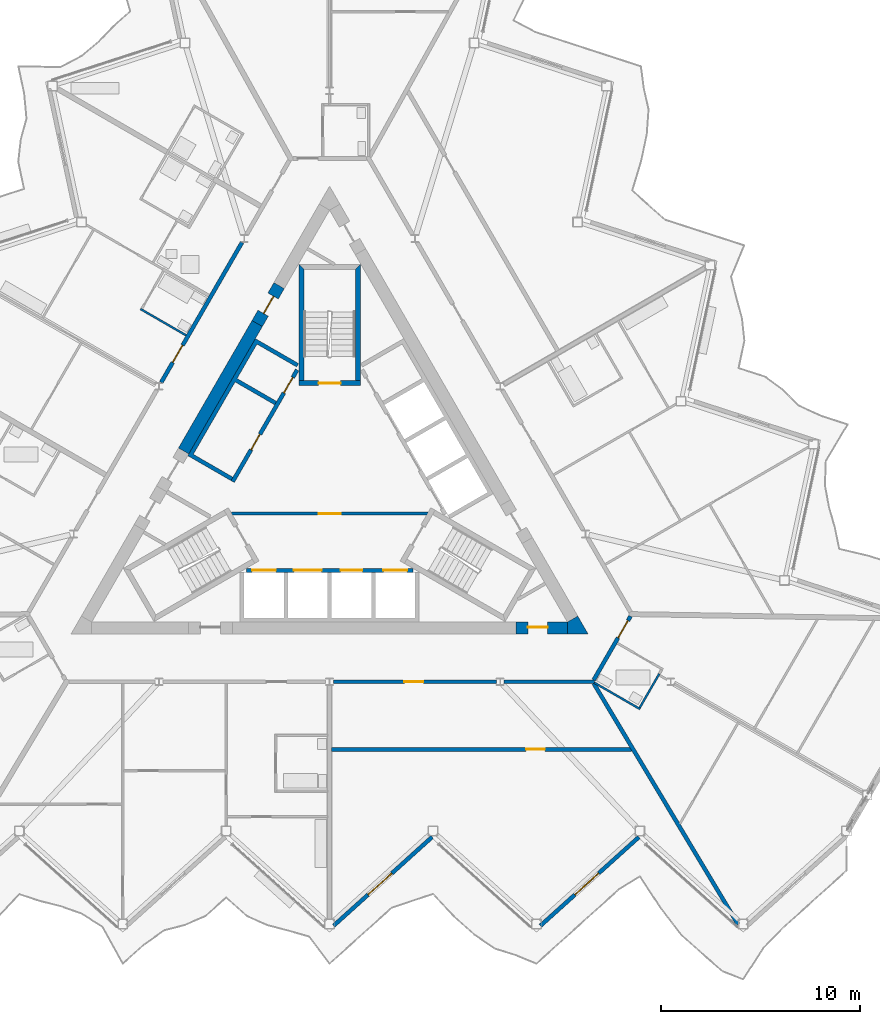
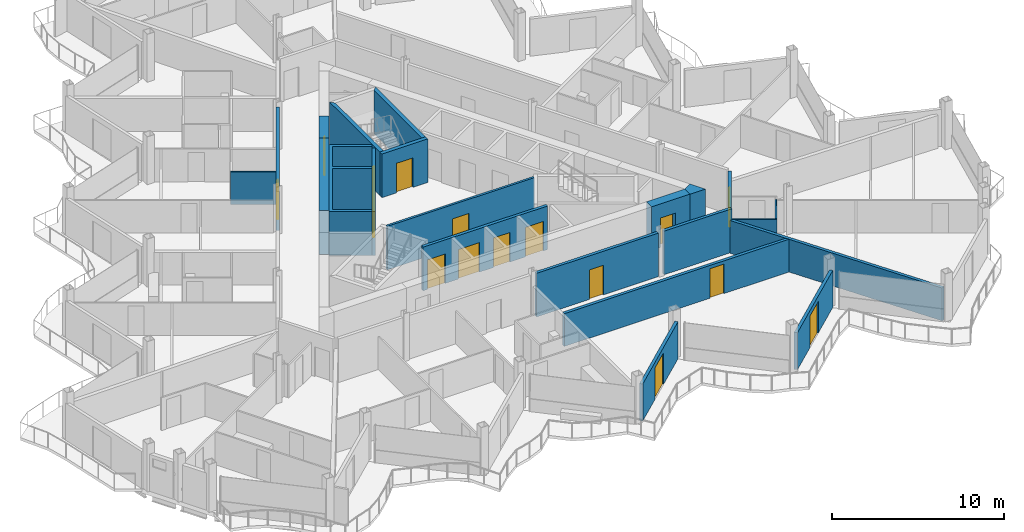
# One storey, part 14 of 26: 22 walls, 16 doors, 16 openings.
"""IFC4 building model written with IfcOpenShell, lengths in metres."""

from ifc_helpers import new_model, si_unit, direction, frame, frame_2d, origin, place, context, subcontext, project, spatial, polyline, rectangle, outline, extrude, material, layer, layer_set, type_object, element, fill, save


model = new_model("IFC4")

# Units and contexts
model_context = context("Model", 3, precision=1e-05, world=origin(), true_north=direction((0.0, 1.0)))
body_context = subcontext(model_context, "Body", "Model", "MODEL_VIEW")
ifc_project = project(units=[si_unit("LENGTHUNIT", "METRE"), si_unit("AREAUNIT", "SQUARE_METRE"), si_unit("VOLUMEUNIT", "CUBIC_METRE"), si_unit("PLANEANGLEUNIT", "RADIAN"), si_unit("MASSUNIT", "GRAM", prefix="KILO")], contexts=[model_context])

# Site, building, storey
site_placement = place(None, origin())
site = spatial("IfcSite", under=ifc_project, at=site_placement, CompositionType="ELEMENT")
building_placement = place(site_placement, origin())
building = spatial("IfcBuilding", under=site, at=building_placement, Name="Cormorant Prow Tower", CompositionType="ELEMENT")
storey_placement = place(building_placement, frame((0.0, 0.0, 384.800048828125)))
storey = spatial("IfcBuildingStorey", under=building, at=storey_placement, Name="L87", CompositionType="ELEMENT", Elevation=384.800048828125)

# Wall, opening, door
ifc_material_1 = material(Name="Gypsum board partition")
ifc_layer_1 = layer(ifc_material_1, 0.14990234375)
ifc_layer_set_1 = layer_set([ifc_layer_1], Name="Gypsum board partition")
wall_type_1 = type_object("IfcWallType", Name="Core partition 150", PredefinedType="PARTITIONING", material=ifc_layer_set_1)
wall_1_placement = place(storey_placement, frame((-4.941162109375, -1.449951171875, 0.0), z_axis=(0.0, 0.0, 1.0), x_axis=(1.0, 0.0, 0.0)))
wall_1 = element("IfcWall", 1, at=wall_1_placement, inside=storey, type_object=wall_type_1, Name="Firefighting lobby partition", PredefinedType="PARTITIONING", context=body_context, shape_type="SweptSolid", body=[
    extrude(rectangle(XDim=9.88232421875, YDim=0.14990234375, at=frame_2d((4.941162109375, 0.0))), origin(), (0.0, 0.0, 1.0), 3.099853515625),
])
opening_1_placement = place(wall_1_placement, frame((4.39111328125, 0.0, 0.0)))
opening_1 = element("IfcOpeningElement", 2, at=opening_1_placement, cuts=wall_1, Name="Opening L87-C11", PredefinedType="OPENING", context=body_context, shape_type="SweptSolid", body=[
    extrude(rectangle(XDim=1.10009765625, YDim=2.10009765625, at=frame_2d((0.550048828125, 1.050048828125))), frame((0.0, 0.0849609375, 0.0), z_axis=(0.0, -1.0, 0.0), x_axis=(1.0, 0.0, 0.0)), (0.0, 0.0, 1.0), 0.169921875),
])
ifc_material_2 = material(Name="Painted steel", Category="steel")
door_type_1 = type_object("IfcDoorType", Name="Firefighting lobby door 1100x2100", OperationType="NOTDEFINED", PredefinedType="DOOR", material=ifc_material_2)
door_1_placement = place(opening_1_placement, origin())
door_1 = element("IfcDoor", 3, at=door_1_placement, inside=storey, type_object=door_type_1, Name="Firefighting lobby door", OperationType="SINGLE_SWING_LEFT", OverallHeight=2.10009765625, OverallWidth=1.10009765625, PredefinedType="DOOR", context=body_context, shape_type="SweptSolid", body=[
    extrude(rectangle(XDim=1.10009765625, YDim=2.10009765625, at=frame_2d((0.550048828125, 1.050048828125))), frame((0.0, 0.02490234375, 0.0), z_axis=(0.0, -1.0, 0.0), x_axis=(1.0, 0.0, 0.0)), (0.0, 0.0, 1.0), 0.050048828125),
])
fill(opening_1, door_1)

# Walls
ifc_material_3 = material(Name="Concrete 8000 psi", Category="concrete")
ifc_layer_2 = layer(ifc_material_3, 0.60009765625)
ifc_layer_set_2 = layer_set([ifc_layer_2], Name="Concrete 8000 psi")
wall_type_2 = type_object("IfcWallType", Name="Core shear wall 600", PredefinedType="SHEAR", material=ifc_layer_set_2)
wall_2_placement = place(storey_placement, frame((-3.639404296875, 8.107421875, 0.0), z_axis=(0.0, 0.0, 1.0), x_axis=(-0.49999180351, -0.866030135978, 0.0)))
element("IfcWall", 4, at=wall_2_placement, inside=storey, type_object=wall_type_2, Name="Core wall", PredefinedType="SHEAR", context=body_context, shape_type="SweptSolid", body=[
    extrude(rectangle(XDim=7.4013671875, YDim=0.60009765625, at=frame_2d((3.70068359375, 0.0))), origin(), (0.0, 0.0, 1.0), 3.099853515625),
])
wall_3_placement = place(storey_placement, origin())
element("IfcWall", 5, at=wall_3_placement, inside=storey, type_object=wall_type_2, Name="Core wall corner", PredefinedType="SHEAR", context=body_context, shape_type="SweptSolid", body=[
    extrude(outline(polyline([(11.960693359375, -7.505615234375), (11.960693359375, -6.905517578125), (12.48046875, -6.605712890625), (13.0, -7.505615234375), (11.960693359375, -7.505615234375)])), origin(), (0.0, 0.0, 1.0), 3.099853515625),
])

# Wall, opening, door
wall_4_placement = place(storey_placement, frame((9.36865234375, -7.20556640625, 0.0), z_axis=(0.0, 0.0, 1.0), x_axis=(1.0, 0.0, 0.0)))
wall_4 = element("IfcWall", 6, at=wall_4_placement, inside=storey, type_object=wall_type_2, Name="Core wall door panel", PredefinedType="SHEAR", context=body_context, shape_type="SweptSolid", body=[
    extrude(rectangle(XDim=2.592041015625, YDim=0.60009765625, at=frame_2d((1.2958984375, 0.0))), origin(), (0.0, 0.0, 1.0), 3.099853515625),
])
opening_2_placement = place(wall_4_placement, frame((0.60009765625, 0.0, 0.0)))
opening_2 = element("IfcOpeningElement", 7, at=opening_2_placement, cuts=wall_4, Name="Opening L87-C15", PredefinedType="OPENING", context=body_context, shape_type="SweptSolid", body=[
    extrude(rectangle(XDim=1.0, YDim=2.10009765625, at=frame_2d((0.5, 1.050048828125))), frame((0.0, 0.31005859375, 0.0), z_axis=(0.0, -1.0, 0.0), x_axis=(1.0, 0.0, 0.0)), (0.0, 0.0, 1.0), 0.6201171875),
])
ifc_material_4 = material(Name="Painted steel", Category="steel")
door_type_2 = type_object("IfcDoorType", Name="Service door 1000x2100", OperationType="NOTDEFINED", PredefinedType="DOOR", material=ifc_material_4)
door_2_placement = place(opening_2_placement, origin())
door_2 = element("IfcDoor", 8, at=door_2_placement, inside=storey, type_object=door_type_2, Name="Core door, Telecom room", OperationType="SINGLE_SWING_RIGHT", OverallHeight=2.10009765625, OverallWidth=1.0, PredefinedType="DOOR", context=body_context, shape_type="SweptSolid", body=[
    extrude(rectangle(XDim=1.0, YDim=2.10009765625, at=frame_2d((0.5, 1.050048828125))), frame((0.0, 0.05517578125, 0.0), z_axis=(0.0, -1.0, 0.0), x_axis=(1.0, 0.0, 0.0)), (0.0, 0.0, 1.0), 0.050048828125),
])
fill(opening_2, door_2)

wall_5_placement = place(storey_placement, frame((-2.539306640625, 10.0126953125, 0.0), z_axis=(0.0, 0.0, 1.0), x_axis=(-0.50002983664, -0.866008176907, 0.0)))
wall_5 = element("IfcWall", 9, at=wall_5_placement, inside=storey, type_object=wall_type_2, Name="Core wall door panel", PredefinedType="SHEAR", context=body_context, shape_type="SweptSolid", body=[
    extrude(rectangle(XDim=2.199951171875, YDim=0.60009765625, at=frame_2d((1.10009765625, 0.0))), origin(), (0.0, 0.0, 1.0), 3.099853515625),
])
opening_3_placement = place(wall_5_placement, frame((0.60009765625, 0.0, 0.0)))
opening_3 = element("IfcOpeningElement", 10, at=opening_3_placement, cuts=wall_5, Name="Opening L87-C19", PredefinedType="OPENING", context=body_context, shape_type="SweptSolid", body=[
    extrude(rectangle(XDim=1.0, YDim=2.10009765625, at=frame_2d((0.5, 1.050048828125))), frame((0.0, 0.31005859375, 0.0), z_axis=(0.0, -1.0, 0.0), x_axis=(1.0, 0.0, 0.0)), (0.0, 0.0, 1.0), 0.6201171875),
])
door_3_placement = place(opening_3_placement, origin())
door_3 = element("IfcDoor", 11, at=door_3_placement, inside=storey, type_object=door_type_2, Name="Core door, Telecom room", OperationType="SINGLE_SWING_LEFT", OverallHeight=2.10009765625, OverallWidth=1.0, PredefinedType="DOOR", context=body_context, shape_type="SweptSolid", body=[
    extrude(rectangle(XDim=1.0, YDim=2.10009765625, at=frame_2d((0.5, 1.050048828125))), frame((0.0, 0.05517578125, 0.0), z_axis=(0.0, -1.0, 0.0), x_axis=(1.0, 0.0, 0.0)), (0.0, 0.0, 1.0), 0.050048828125),
])
fill(opening_3, door_3)

ifc_material_5 = material(Name="Gypsum board corridor wall")
ifc_layer_3 = layer(ifc_material_5, 0.199951171875)
ifc_layer_set_3 = layer_set([ifc_layer_3], Name="Gypsum board corridor wall")
wall_type_3 = type_object("IfcWallType", Name="Corridor wall 200", PredefinedType="PARTITIONING", material=ifc_layer_set_3)
wall_6_placement = place(storey_placement, frame((0.197021484375, -9.905517578125, 0.0), z_axis=(0.0, 0.0, 1.0), x_axis=(1.0, 0.0, 0.0)))
wall_6 = element("IfcWall", 12, at=wall_6_placement, inside=storey, type_object=wall_type_3, Name="Corridor wall", PredefinedType="PARTITIONING", context=body_context, shape_type="SweptSolid", body=[
    extrude(rectangle(XDim=8.1845703125, YDim=0.199951171875, at=frame_2d((4.09228515625, 0.0))), origin(), (0.0, 0.0, 1.0), 3.099853515625),
])
opening_4_placement = place(wall_6_placement, frame((3.56689453125, 0.0, 0.0)))
opening_4 = element("IfcOpeningElement", 13, at=opening_4_placement, cuts=wall_6, Name="Opening L87-F08", PredefinedType="OPENING", context=body_context, shape_type="SweptSolid", body=[
    extrude(rectangle(XDim=0.949951171875, YDim=2.10009765625, at=frame_2d((0.47509765625, 1.050048828125))), frame((0.0, 0.10986328125, 0.0), z_axis=(0.0, -1.0, 0.0), x_axis=(1.0, 0.0, 0.0)), (0.0, 0.0, 1.0), 0.219970703125),
])
ifc_material_6 = material(Name="Timber door leaf", Category="wood")
door_type_3 = type_object("IfcDoorType", Name="Store door 950x2100", OperationType="NOTDEFINED", PredefinedType="DOOR", material=ifc_material_6)
door_4_placement = place(opening_4_placement, origin())
door_4 = element("IfcDoor", 14, at=door_4_placement, inside=storey, type_object=door_type_3, Name="Bicycle store door", OperationType="SINGLE_SWING_RIGHT", OverallHeight=2.10009765625, OverallWidth=0.949951171875, PredefinedType="DOOR", context=body_context, shape_type="SweptSolid", body=[
    extrude(rectangle(XDim=0.949951171875, YDim=2.10009765625, at=frame_2d((0.47509765625, 1.050048828125))), frame((0.0, 0.02490234375, 0.0), z_axis=(0.0, -1.0, 0.0), x_axis=(1.0, 0.0, 0.0)), (0.0, 0.0, 1.0), 0.050048828125),
])
fill(opening_4, door_4)

wall_7_placement = place(storey_placement, frame((-8.464599609375, 5.14990234375, 0.0), z_axis=(0.0, 0.0, 1.0), x_axis=(0.499992155518, 0.866029932751, 0.0)))
wall_7 = element("IfcWall", 15, at=wall_7_placement, inside=storey, type_object=wall_type_3, Name="Corridor wall", PredefinedType="PARTITIONING", context=body_context, shape_type="SweptSolid", body=[
    extrude(rectangle(XDim=8.123291015625, YDim=0.199951171875, at=frame_2d((4.0615234375, 0.0))), origin(), (0.0, 0.0, 1.0), 3.099853515625),
])
opening_5_placement = place(wall_7_placement, frame((1.1533203125, 0.0, 0.0)))
opening_5 = element("IfcOpeningElement", 16, at=opening_5_placement, cuts=wall_7, Name="Opening L87-F33", PredefinedType="OPENING", context=body_context, shape_type="SweptSolid", body=[
    extrude(rectangle(XDim=1.0, YDim=2.10009765625, at=frame_2d((0.5, 1.050048828125))), frame((0.0, 0.10986328125, 0.0), z_axis=(0.0, -1.0, 0.0), x_axis=(1.0, 0.0, 0.0)), (0.0, 0.0, 1.0), 0.219970703125),
])
ifc_material_7 = material(Name="Timber door leaf", Category="wood")
door_type_4 = type_object("IfcDoorType", Name="Flat or room entrance door 1000x2100", OperationType="NOTDEFINED", PredefinedType="DOOR", material=ifc_material_7)
door_5_placement = place(opening_5_placement, origin())
door_5 = element("IfcDoor", 17, at=door_5_placement, inside=storey, type_object=door_type_4, Name="Living room door", OperationType="SINGLE_SWING_RIGHT", OverallHeight=2.10009765625, OverallWidth=1.0, PredefinedType="DOOR", context=body_context, shape_type="SweptSolid", body=[
    extrude(rectangle(XDim=1.0, YDim=2.10009765625, at=frame_2d((0.5, 1.050048828125))), frame((0.0, 0.02490234375, 0.0), z_axis=(0.0, -1.0, 0.0), x_axis=(1.0, 0.0, 0.0)), (0.0, 0.0, 1.0), 0.050048828125),
])
fill(opening_5, door_5)

# Wall
wall_8_placement = place(storey_placement, frame((8.775390625, -9.905517578125, 0.0), z_axis=(0.0, 0.0, 1.0), x_axis=(1.0, 0.0, 0.0)))
element("IfcWall", 18, at=wall_8_placement, inside=storey, type_object=wall_type_3, Name="Corridor wall", PredefinedType="PARTITIONING", context=body_context, shape_type="SweptSolid", body=[
    extrude(rectangle(XDim=4.555419921875, YDim=0.199951171875, at=frame_2d((2.27783203125, 0.0))), origin(), (0.0, 0.0, 1.0), 3.099853515625),
])

# Wall, opening, door
wall_9_placement = place(storey_placement, frame((13.281005859375, -9.819091796875, 0.0), z_axis=(0.0, 0.0, 1.0), x_axis=(0.499948957823, 0.866054870994, 0.0)))
wall_9 = element("IfcWall", 19, at=wall_9_placement, inside=storey, type_object=wall_type_3, Name="Corridor wall", PredefinedType="PARTITIONING", context=body_context, shape_type="SweptSolid", body=[
    extrude(rectangle(XDim=3.701171875, YDim=0.199951171875, at=frame_2d((1.8505859375, 0.0))), origin(), (0.0, 0.0, 1.0), 3.099853515625),
])
opening_6_placement = place(wall_9_placement, frame((2.450927734375, 0.0, 0.0)))
opening_6 = element("IfcOpeningElement", 20, at=opening_6_placement, cuts=wall_9, Name="Opening L87-F10", PredefinedType="OPENING", context=body_context, shape_type="SweptSolid", body=[
    extrude(rectangle(XDim=1.0, YDim=2.10009765625, at=frame_2d((0.5, 1.050048828125))), frame((0.0, 0.10986328125, 0.0), z_axis=(0.0, -1.0, 0.0), x_axis=(1.0, 0.0, 0.0)), (0.0, 0.0, 1.0), 0.219970703125),
])
door_6_placement = place(opening_6_placement, origin())
door_6 = element("IfcDoor", 21, at=door_6_placement, inside=storey, type_object=door_type_4, Name="Living room door", OperationType="SINGLE_SWING_RIGHT", OverallHeight=2.10009765625, OverallWidth=1.0, PredefinedType="DOOR", context=body_context, shape_type="SweptSolid", body=[
    extrude(rectangle(XDim=1.0, YDim=2.10009765625, at=frame_2d((0.5, 1.050048828125))), frame((0.0, 0.02490234375, 0.0), z_axis=(0.0, -1.0, 0.0), x_axis=(1.0, 0.0, 0.0)), (0.0, 0.0, 1.0), 0.050048828125),
])
fill(opening_6, door_6)

ifc_material_8 = material(Name="Gypsum board demising wall")
ifc_layer_4 = layer(ifc_material_8, 0.199951171875)
ifc_layer_set_4 = layer_set([ifc_layer_4], Name="Gypsum board demising wall")
wall_type_4 = type_object("IfcWallType", Name="Demising wall 200", PredefinedType="PARTITIONING", material=ifc_layer_set_4)
wall_10_placement = place(storey_placement, frame((0.10009765625, -13.3056640625, 0.0), z_axis=(0.0, 0.0, 1.0), x_axis=(1.0, 0.0, 0.0)))
wall_10 = element("IfcWall", 22, at=wall_10_placement, inside=storey, type_object=wall_type_4, Name="Demising wall", PredefinedType="PARTITIONING", context=body_context, shape_type="SweptSolid", body=[
    extrude(rectangle(XDim=15.09375, YDim=0.199951171875, at=frame_2d((7.546875, 0.0))), origin(), (0.0, 0.0, 1.0), 2.330078125),
])
opening_7_placement = place(wall_10_placement, frame((9.78076171875, 0.0, 0.0)))
opening_7 = element("IfcOpeningElement", 23, at=opening_7_placement, cuts=wall_10, Name="Opening L87-F09", PredefinedType="OPENING", context=body_context, shape_type="SweptSolid", body=[
    extrude(rectangle(XDim=0.949951171875, YDim=2.10009765625, at=frame_2d((0.47509765625, 1.050048828125))), frame((0.0, 0.10986328125, 0.0), z_axis=(0.0, -1.0, 0.0), x_axis=(1.0, 0.0, 0.0)), (0.0, 0.0, 1.0), 0.219970703125),
])
door_7_placement = place(opening_7_placement, origin())
door_7 = element("IfcDoor", 24, at=door_7_placement, inside=storey, type_object=door_type_3, Name="Refuse room door", OperationType="SINGLE_SWING_RIGHT", OverallHeight=2.10009765625, OverallWidth=0.949951171875, PredefinedType="DOOR", context=body_context, shape_type="SweptSolid", body=[
    extrude(rectangle(XDim=0.949951171875, YDim=2.10009765625, at=frame_2d((0.47509765625, 1.050048828125))), frame((0.0, 0.02490234375, 0.0), z_axis=(0.0, -1.0, 0.0), x_axis=(1.0, 0.0, 0.0)), (0.0, 0.0, 1.0), 0.050048828125),
])
fill(opening_7, door_7)

# Walls
wall_11_placement = place(storey_placement, frame((13.2822265625, -9.9912109375, 0.0), z_axis=(0.0, 0.0, 1.0), x_axis=(0.513867741763, -0.857869421285, 0.0)))
element("IfcWall", 25, at=wall_11_placement, inside=storey, type_object=wall_type_4, Name="Demising wall", PredefinedType="PARTITIONING", context=body_context, shape_type="SweptSolid", body=[
    extrude(rectangle(XDim=14.123779296875, YDim=0.199951171875, at=frame_2d((7.06201171875, 0.0))), origin(), (0.0, 0.0, 1.0), 2.330078125),
])
ifc_material_9 = material(Name="Gypsum board partition")
ifc_layer_5 = layer(ifc_material_9, 0.10009765625)
ifc_layer_set_5 = layer_set([ifc_layer_5], Name="Gypsum board partition")
wall_type_5 = type_object("IfcWallType", Name="Internal partition 100", PredefinedType="PARTITIONING", material=ifc_layer_set_5)
wall_12_placement = place(storey_placement, frame((-9.510009765625, 8.83935546875, 0.0), z_axis=(0.0, 0.0, 1.0), x_axis=(0.866029095148, -0.499993606316, 0.0)))
element("IfcWall", 26, at=wall_12_placement, inside=storey, type_object=wall_type_5, Name="Internal partition", PredefinedType="PARTITIONING", context=body_context, shape_type="SweptSolid", body=[
    extrude(rectangle(XDim=2.64990234375, YDim=0.10009765625, at=frame_2d((1.324951171875, 0.0))), origin(), (0.0, 0.0, 1.0), 2.330078125),
])
wall_13_placement = place(storey_placement, frame((13.3173828125, -9.95556640625, 0.0), z_axis=(0.0, 0.0, 1.0), x_axis=(0.866052124492, -0.499953715521, 0.0)))
element("IfcWall", 27, at=wall_13_placement, inside=storey, type_object=wall_type_5, Name="Internal partition", PredefinedType="PARTITIONING", context=body_context, shape_type="SweptSolid", body=[
    extrude(rectangle(XDim=2.650146484375, YDim=0.10009765625, at=frame_2d((1.3251953125, 0.0))), origin(), (0.0, 0.0, 1.0), 2.330078125),
])
wall_14_placement = place(storey_placement, frame((15.59423828125, -11.21240234375, 0.0), z_axis=(0.0, 0.0, 1.0), x_axis=(0.500011643316, 0.866018681408, 0.0)))
element("IfcWall", 28, at=wall_14_placement, inside=storey, type_object=wall_type_5, Name="Internal partition", PredefinedType="PARTITIONING", context=body_context, shape_type="SweptSolid", body=[
    extrude(rectangle(XDim=1.97314453125, YDim=0.10009765625, at=frame_2d((0.986572265625, 0.0))), origin(), (0.0, 0.0, 1.0), 2.330078125),
])

# Wall, openings, doors
ifc_material_10 = material(Name="Concrete 5000 psi", Category="concrete")
ifc_layer_6 = layer(ifc_material_10, 0.199951171875)
ifc_layer_set_6 = layer_set([ifc_layer_6], Name="Concrete 5000 psi")
wall_type_6 = type_object("IfcWallType", Name="Lift lobby wall 200", PredefinedType="SOLIDWALL", material=ifc_layer_set_6)
wall_15_placement = place(storey_placement, frame((-4.1865234375, -4.300048828125, 0.0), z_axis=(0.0, 0.0, 1.0), x_axis=(1.0, 0.0, 0.0)))
wall_15 = element("IfcWall", 29, at=wall_15_placement, inside=storey, type_object=wall_type_6, Name="Lift lobby wall, S block", PredefinedType="SOLIDWALL", context=body_context, shape_type="SweptSolid", body=[
    extrude(rectangle(XDim=8.373046875, YDim=0.199951171875, at=frame_2d((4.1865234375, 0.0))), origin(), (0.0, 0.0, 1.0), 3.099853515625),
])
opening_8_placement = place(wall_15_placement, frame((0.28662109375, 0.0, 0.0)))
opening_8 = element("IfcOpeningElement", 30, at=opening_8_placement, cuts=wall_15, Name="Opening L87-C01", PredefinedType="OPENING", context=body_context, shape_type="SweptSolid", body=[
    extrude(rectangle(XDim=1.199951171875, YDim=2.10009765625, at=frame_2d((0.60009765625, 1.050048828125))), frame((0.0, 0.10986328125, 0.0), z_axis=(0.0, -1.0, 0.0), x_axis=(1.0, 0.0, 0.0)), (0.0, 0.0, 1.0), 0.219970703125),
])
opening_9_placement = place(wall_15_placement, frame((2.38671875, 0.0, 0.0)))
opening_9 = element("IfcOpeningElement", 31, at=opening_9_placement, cuts=wall_15, Name="Opening L87-C02", PredefinedType="OPENING", context=body_context, shape_type="SweptSolid", body=[
    extrude(rectangle(XDim=1.39990234375, YDim=2.10009765625, at=frame_2d((0.699951171875, 1.050048828125))), frame((0.0, 0.10986328125, 0.0), z_axis=(0.0, -1.0, 0.0), x_axis=(1.0, 0.0, 0.0)), (0.0, 0.0, 1.0), 0.219970703125),
])
opening_10_placement = place(wall_15_placement, frame((4.736572265625, 0.0, 0.0)))
opening_10 = element("IfcOpeningElement", 32, at=opening_10_placement, cuts=wall_15, Name="Opening L87-C03", PredefinedType="OPENING", context=body_context, shape_type="SweptSolid", body=[
    extrude(rectangle(XDim=1.10009765625, YDim=2.10009765625, at=frame_2d((0.550048828125, 1.050048828125))), frame((0.0, 0.10986328125, 0.0), z_axis=(0.0, -1.0, 0.0), x_axis=(1.0, 0.0, 0.0)), (0.0, 0.0, 1.0), 0.219970703125),
])
opening_11_placement = place(wall_15_placement, frame((6.88671875, 0.0, 0.0)))
opening_11 = element("IfcOpeningElement", 33, at=opening_11_placement, cuts=wall_15, Name="Opening L87-C04", PredefinedType="OPENING", context=body_context, shape_type="SweptSolid", body=[
    extrude(rectangle(XDim=1.199951171875, YDim=2.10009765625, at=frame_2d((0.60009765625, 1.050048828125))), frame((0.0, 0.10986328125, 0.0), z_axis=(0.0, -1.0, 0.0), x_axis=(1.0, 0.0, 0.0)), (0.0, 0.0, 1.0), 0.219970703125),
])
ifc_material_11 = material(Name="Painted steel", Category="steel")
door_type_5 = type_object("IfcDoorType", Name="Firefighting lift landing door 1200x2100", OperationType="SLIDING_TO_LEFT", PredefinedType="DOOR", material=ifc_material_11)
door_8_placement = place(opening_8_placement, origin())
door_8 = element("IfcDoor", 34, at=door_8_placement, inside=storey, type_object=door_type_5, Name="Landing door FL1", OperationType="SLIDING_TO_LEFT", OverallHeight=2.10009765625, OverallWidth=1.199951171875, PredefinedType="DOOR", context=body_context, shape_type="SweptSolid", body=[
    extrude(rectangle(XDim=1.199951171875, YDim=2.10009765625, at=frame_2d((0.60009765625, 1.050048828125))), frame((0.0, 0.02490234375, 0.0), z_axis=(0.0, -1.0, 0.0), x_axis=(1.0, 0.0, 0.0)), (0.0, 0.0, 1.0), 0.050048828125),
])
fill(opening_8, door_8)
door_9_placement = place(opening_11_placement, origin())
door_9 = element("IfcDoor", 35, at=door_9_placement, inside=storey, type_object=door_type_5, Name="Landing door FL2", OperationType="SLIDING_TO_LEFT", OverallHeight=2.10009765625, OverallWidth=1.199951171875, PredefinedType="DOOR", context=body_context, shape_type="SweptSolid", body=[
    extrude(rectangle(XDim=1.199951171875, YDim=2.10009765625, at=frame_2d((0.60009765625, 1.050048828125))), frame((0.0, 0.02490234375, 0.0), z_axis=(0.0, -1.0, 0.0), x_axis=(1.0, 0.0, 0.0)), (0.0, 0.0, 1.0), 0.050048828125),
])
fill(opening_11, door_9)
ifc_material_12 = material(Name="Painted steel", Category="steel")
door_type_6 = type_object("IfcDoorType", Name="Lift landing door 1100x2100", OperationType="SLIDING_TO_LEFT", PredefinedType="DOOR", material=ifc_material_12)
door_10_placement = place(opening_10_placement, origin())
door_10 = element("IfcDoor", 36, at=door_10_placement, inside=storey, type_object=door_type_6, Name="Landing door HR1", OperationType="SLIDING_TO_LEFT", OverallHeight=2.10009765625, OverallWidth=1.10009765625, PredefinedType="DOOR", context=body_context, shape_type="SweptSolid", body=[
    extrude(rectangle(XDim=1.10009765625, YDim=2.10009765625, at=frame_2d((0.550048828125, 1.050048828125))), frame((0.0, 0.02490234375, 0.0), z_axis=(0.0, -1.0, 0.0), x_axis=(1.0, 0.0, 0.0)), (0.0, 0.0, 1.0), 0.050048828125),
])
fill(opening_10, door_10)
ifc_material_13 = material(Name="Painted steel", Category="steel")
door_type_7 = type_object("IfcDoorType", Name="Service lift landing door 1400x2100", OperationType="SLIDING_TO_LEFT", PredefinedType="DOOR", material=ifc_material_13)
door_11_placement = place(opening_9_placement, origin())
door_11 = element("IfcDoor", 37, at=door_11_placement, inside=storey, type_object=door_type_7, Name="Landing door SL1", OperationType="SLIDING_TO_LEFT", OverallHeight=2.10009765625, OverallWidth=1.39990234375, PredefinedType="DOOR", context=body_context, shape_type="SweptSolid", body=[
    extrude(rectangle(XDim=1.39990234375, YDim=2.10009765625, at=frame_2d((0.699951171875, 1.050048828125))), frame((0.0, 0.02490234375, 0.0), z_axis=(0.0, -1.0, 0.0), x_axis=(1.0, 0.0, 0.0)), (0.0, 0.0, 1.0), 0.050048828125),
])
fill(opening_9, door_11)

wall_16_placement = place(storey_placement, frame((-1.630615234375, 5.775634765625, 0.0), z_axis=(0.0, 0.0, 1.0), x_axis=(-0.499992876559, -0.866029516466, 0.0)))
wall_16 = element("IfcWall", 38, at=wall_16_placement, inside=storey, type_object=wall_type_6, Name="Lift lobby wall, WNW block", PredefinedType="SOLIDWALL", context=body_context, shape_type="SweptSolid", body=[
    extrude(rectangle(XDim=6.486328125, YDim=0.199951171875, at=frame_2d((3.2431640625, 0.0))), origin(), (0.0, 0.0, 1.0), 3.099853515625),
])
opening_12_placement = place(wall_16_placement, frame((0.4365234375, 0.0, 0.0)))
opening_12 = element("IfcOpeningElement", 39, at=opening_12_placement, cuts=wall_16, Name="Opening L87-C09", PredefinedType="OPENING", context=body_context, shape_type="SweptSolid", body=[
    extrude(rectangle(XDim=0.89990234375, YDim=2.10009765625, at=frame_2d((0.449951171875, 1.050048828125))), frame((0.0, 0.10986328125, 0.0), z_axis=(0.0, -1.0, 0.0), x_axis=(1.0, 0.0, 0.0)), (0.0, 0.0, 1.0), 0.219970703125),
])
opening_13_placement = place(wall_16_placement, frame((3.736572265625, 0.0, 0.0)))
opening_13 = element("IfcOpeningElement", 40, at=opening_13_placement, cuts=wall_16, Name="Opening L87-C10", PredefinedType="OPENING", context=body_context, shape_type="SweptSolid", body=[
    extrude(rectangle(XDim=0.89990234375, YDim=2.10009765625, at=frame_2d((0.449951171875, 1.050048828125))), frame((0.0, 0.10986328125, 0.0), z_axis=(0.0, -1.0, 0.0), x_axis=(1.0, 0.0, 0.0)), (0.0, 0.0, 1.0), 0.219970703125),
])
ifc_material_14 = material(Name="Painted steel", Category="steel")
door_type_8 = type_object("IfcDoorType", Name="Service door 900x2100", OperationType="NOTDEFINED", PredefinedType="DOOR", material=ifc_material_14)
door_12_placement = place(opening_12_placement, origin())
door_12 = element("IfcDoor", 41, at=door_12_placement, inside=storey, type_object=door_type_8, Name="Service door, Electrical room", OperationType="SINGLE_SWING_LEFT", OverallHeight=2.10009765625, OverallWidth=0.89990234375, PredefinedType="DOOR", context=body_context, shape_type="SweptSolid", body=[
    extrude(rectangle(XDim=0.89990234375, YDim=2.10009765625, at=frame_2d((0.449951171875, 1.050048828125))), frame((0.0, 0.02490234375, 0.0), z_axis=(0.0, -1.0, 0.0), x_axis=(1.0, 0.0, 0.0)), (0.0, 0.0, 1.0), 0.050048828125),
])
fill(opening_12, door_12)
door_13_placement = place(opening_13_placement, origin())
door_13 = element("IfcDoor", 42, at=door_13_placement, inside=storey, type_object=door_type_8, Name="Service door, Linen store", OperationType="SINGLE_SWING_LEFT", OverallHeight=2.10009765625, OverallWidth=0.89990234375, PredefinedType="DOOR", context=body_context, shape_type="SweptSolid", body=[
    extrude(rectangle(XDim=0.89990234375, YDim=2.10009765625, at=frame_2d((0.449951171875, 1.050048828125))), frame((0.0, 0.02490234375, 0.0), z_axis=(0.0, -1.0, 0.0), x_axis=(1.0, 0.0, 0.0)), (0.0, 0.0, 1.0), 0.050048828125),
])
fill(opening_13, door_13)

# Walls
ifc_material_15 = material(Name="Concrete 8000 psi", Category="concrete")
ifc_layer_7 = layer(ifc_material_15, 0.199951171875)
ifc_layer_set_7 = layer_set([ifc_layer_7], Name="Concrete 8000 psi")
wall_type_7 = type_object("IfcWallType", Name="Lift shaft wall 200", PredefinedType="SHEAR", material=ifc_layer_set_7)
wall_17_placement = place(storey_placement, origin())
element("IfcWall", 43, at=wall_17_placement, inside=storey, type_object=wall_type_7, Name="Lift shaft walls, WNW block", PredefinedType="SHEAR", context=body_context, shape_type="SweptSolid", body=[
    extrude(outline(polyline([(-4.96044921875, 0.2080078125), (-7.130859375, 1.461181640625), (-3.730712890625, 7.35009765625), (-1.560546875, 6.09716796875), (-1.660400390625, 5.923828125), (-3.65234375, 7.073974609375), (-4.65234375, 5.341796875), (-2.660400390625, 4.19189453125), (-2.760498046875, 4.018798828125), (-4.75244140625, 5.168701171875), (-6.852294921875, 1.53125), (-4.860595703125, 0.38134765625), (-4.96044921875, 0.2080078125)])), origin(), (0.0, 0.0, 1.0), 3.099853515625),
])
ifc_material_16 = material(Name="Concrete 8000 psi", Category="concrete")
ifc_layer_8 = layer(ifc_material_16, 0.25)
ifc_layer_set_8 = layer_set([ifc_layer_8], Name="Concrete 8000 psi")
wall_type_8 = type_object("IfcWallType", Name="Stair wall 250", PredefinedType="SHEAR", material=ifc_layer_set_8)
wall_18_placement = place(storey_placement, origin())
element("IfcWall", 44, at=wall_18_placement, inside=storey, type_object=wall_type_8, Name="Stair ST3 enclosure wall (flank)", PredefinedType="SHEAR", context=body_context, shape_type="SweptSolid", body=[
    extrude(outline(polyline([(1.5439453125, 5.23681640625), (1.5439453125, 11.0869140625), (1.2939453125, 10.8369140625), (1.2939453125, 5.23681640625), (1.5439453125, 5.23681640625)])), origin(), (0.0, 0.0, 1.0), 3.099853515625),
])
wall_19_placement = place(storey_placement, origin())
element("IfcWall", 45, at=wall_19_placement, inside=storey, type_object=wall_type_8, Name="Stair ST3 enclosure wall (flank)", PredefinedType="SHEAR", context=body_context, shape_type="SweptSolid", body=[
    extrude(outline(polyline([(-1.2939453125, 10.8369140625), (-1.5439453125, 11.0869140625), (-1.5439453125, 5.23681640625), (-1.2939453125, 5.23681640625), (-1.2939453125, 10.8369140625)])), origin(), (0.0, 0.0, 1.0), 3.099853515625),
])

# Wall, opening, door
wall_20_placement = place(storey_placement, frame((1.5439453125, 5.11181640625, 0.0), z_axis=(0.0, 0.0, 1.0), x_axis=(-1.0, 0.0, 0.0)))
wall_20 = element("IfcWall", 46, at=wall_20_placement, inside=storey, type_object=wall_type_8, Name="Stair ST3 door wall", PredefinedType="SHEAR", context=body_context, shape_type="SweptSolid", body=[
    extrude(rectangle(XDim=3.087890625, YDim=0.25, at=frame_2d((1.5439453125, 0.0))), origin(), (0.0, 0.0, 1.0), 3.099853515625),
])
opening_14_placement = place(wall_20_placement, frame((0.993896484375, 0.0, 0.0)))
opening_14 = element("IfcOpeningElement", 47, at=opening_14_placement, cuts=wall_20, Name="Opening L87-C14", PredefinedType="OPENING", context=body_context, shape_type="SweptSolid", body=[
    extrude(rectangle(XDim=1.10009765625, YDim=2.10009765625, at=frame_2d((0.550048828125, 1.050048828125))), frame((0.0, 0.135009765625, 0.0), z_axis=(0.0, -1.0, 0.0), x_axis=(1.0, 0.0, 0.0)), (0.0, 0.0, 1.0), 0.27001953125),
])
ifc_material_17 = material(Name="Painted steel", Category="steel")
door_type_9 = type_object("IfcDoorType", Name="Stair door 1100x2100", OperationType="NOTDEFINED", PredefinedType="DOOR", material=ifc_material_17)
door_14_placement = place(opening_14_placement, origin())
door_14 = element("IfcDoor", 48, at=door_14_placement, inside=storey, type_object=door_type_9, Name="Stair ST3 door", OperationType="SINGLE_SWING_RIGHT", OverallHeight=2.10009765625, OverallWidth=1.10009765625, PredefinedType="DOOR", context=body_context, shape_type="SweptSolid", body=[
    extrude(rectangle(XDim=1.10009765625, YDim=2.10009765625, at=frame_2d((0.550048828125, 1.050048828125))), frame((0.0, 0.02490234375, 0.0), z_axis=(0.0, -1.0, 0.0), x_axis=(1.0, 0.0, 0.0)), (0.0, 0.0, 1.0), 0.050048828125),
])
fill(opening_14, door_14)

ifc_material_18 = material(Name="Terracotta", Category="masonry")
ifc_layer_9 = layer(ifc_material_18, 0.199951171875)
ifc_layer_set_9 = layer_set([ifc_layer_9], Name="Terracotta")
wall_type_9 = type_object("IfcWallType", Name="Terracotta jamb wall 200", PredefinedType="SOLIDWALL", material=ifc_layer_set_9)
wall_21_placement = place(storey_placement, frame((0.205078125, -22.172607421875, 0.0), z_axis=(0.0, 0.0, 1.0), x_axis=(0.743135582201, 0.669140871915, 0.0)))
wall_21 = element("IfcWall", 49, at=wall_21_placement, inside=storey, type_object=wall_type_9, Name="Terracotta jamb wall S05", PredefinedType="SOLIDWALL", context=body_context, shape_type="SweptSolid", body=[
    extrude(rectangle(XDim=6.66162109375, YDim=0.199951171875, at=frame_2d((3.330810546875, 0.0))), origin(), (0.0, 0.0, 1.0), 2.6337890625),
])
opening_15_placement = place(wall_21_placement, frame((2.332763671875, 0.0, 0.0)))
opening_15 = element("IfcOpeningElement", 50, at=opening_15_placement, cuts=wall_21, Name="Opening ED87.03", PredefinedType="OPENING", context=body_context, shape_type="SweptSolid", body=[
    extrude(rectangle(XDim=1.60009765625, YDim=2.25, at=frame_2d((0.800048828125, 1.125))), frame((0.0, 0.10986328125, 0.0), z_axis=(0.0, -1.0, 0.0), x_axis=(1.0, 0.0, 0.0)), (0.0, 0.0, 1.0), 0.219970703125),
])
ifc_material_19 = material(Name="Aluminium 6063-T6", Category="aluminium")
door_type_10 = type_object("IfcDoorType", Name="Balcony door 1600x2250", OperationType="DOUBLE_DOOR_SINGLE_SWING", PredefinedType="DOOR", material=ifc_material_19)
door_15_placement = place(opening_15_placement, origin())
door_15 = element("IfcDoor", 51, at=door_15_placement, inside=storey, type_object=door_type_10, Name="Balcony door S05 ED87.03", OperationType="DOUBLE_DOOR_SINGLE_SWING", OverallHeight=2.25, OverallWidth=1.60009765625, PredefinedType="DOOR", context=body_context, shape_type="SweptSolid", body=[
    extrude(rectangle(XDim=1.60009765625, YDim=2.25, at=frame_2d((0.800048828125, 1.125))), frame((0.0, 0.02490234375, 0.0), z_axis=(0.0, -1.0, 0.0), x_axis=(1.0, 0.0, 0.0)), (0.0, 0.0, 1.0), 0.050048828125),
])
fill(opening_15, door_15)

wall_22_placement = place(storey_placement, frame((10.60498046875, -22.172607421875, 0.0), z_axis=(0.0, 0.0, 1.0), x_axis=(0.743135582201, 0.669140871915, 0.0)))
wall_22 = element("IfcWall", 52, at=wall_22_placement, inside=storey, type_object=wall_type_9, Name="Terracotta jamb wall S07", PredefinedType="SOLIDWALL", context=body_context, shape_type="SweptSolid", body=[
    extrude(rectangle(XDim=6.66162109375, YDim=0.199951171875, at=frame_2d((3.330810546875, 0.0))), origin(), (0.0, 0.0, 1.0), 2.6337890625),
])
opening_16_placement = place(wall_22_placement, frame((2.332763671875, 0.0, 0.0)))
opening_16 = element("IfcOpeningElement", 53, at=opening_16_placement, cuts=wall_22, Name="Opening ED87.04", PredefinedType="OPENING", context=body_context, shape_type="SweptSolid", body=[
    extrude(rectangle(XDim=1.60009765625, YDim=2.25, at=frame_2d((0.800048828125, 1.125))), frame((0.0, 0.10986328125, 0.0), z_axis=(0.0, -1.0, 0.0), x_axis=(1.0, 0.0, 0.0)), (0.0, 0.0, 1.0), 0.219970703125),
])
door_16_placement = place(opening_16_placement, origin())
door_16 = element("IfcDoor", 54, at=door_16_placement, inside=storey, type_object=door_type_10, Name="Balcony door S07 ED87.04", OperationType="DOUBLE_DOOR_SINGLE_SWING", OverallHeight=2.25, OverallWidth=1.60009765625, PredefinedType="DOOR", context=body_context, shape_type="SweptSolid", body=[
    extrude(rectangle(XDim=1.60009765625, YDim=2.25, at=frame_2d((0.800048828125, 1.125))), frame((0.0, 0.02490234375, 0.0), z_axis=(0.0, -1.0, 0.0), x_axis=(1.0, 0.0, 0.0)), (0.0, 0.0, 1.0), 0.050048828125),
])
fill(opening_16, door_16)

save(model, "model.ifc")
